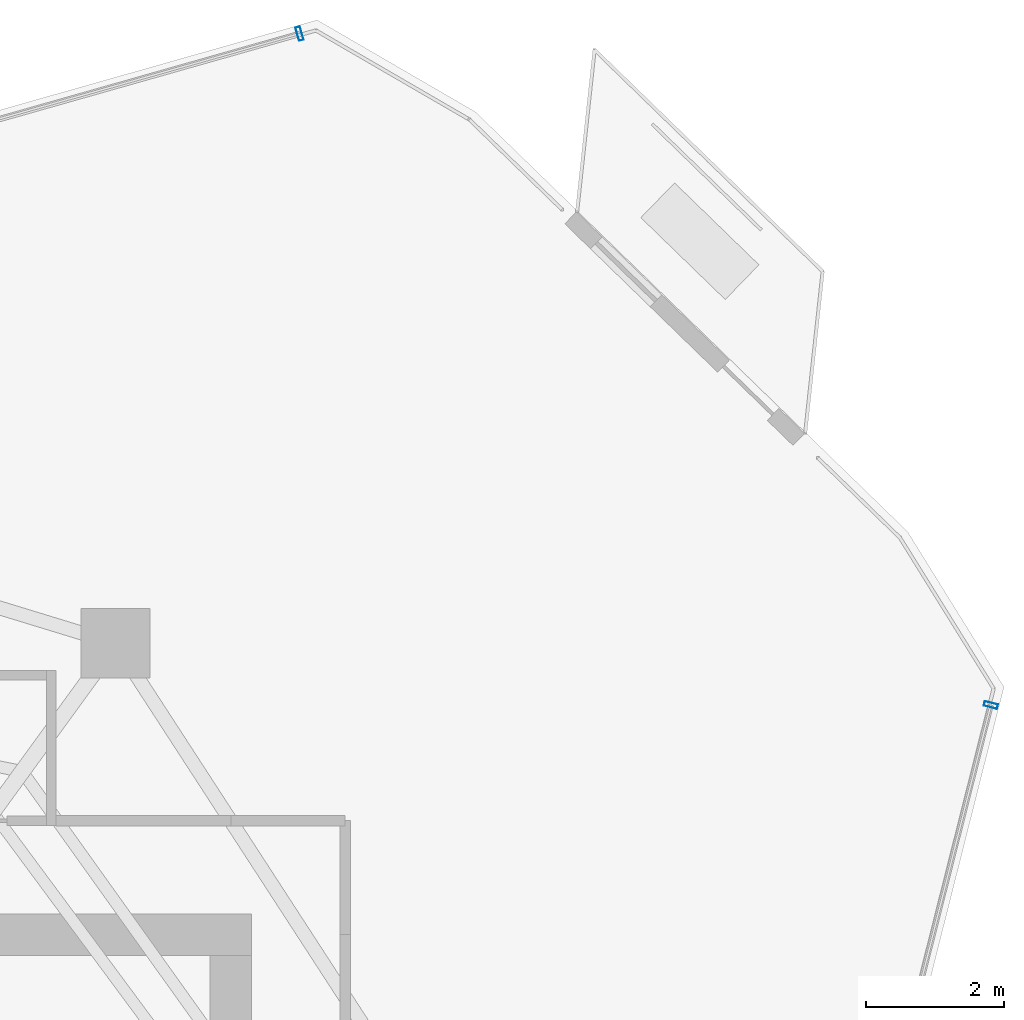
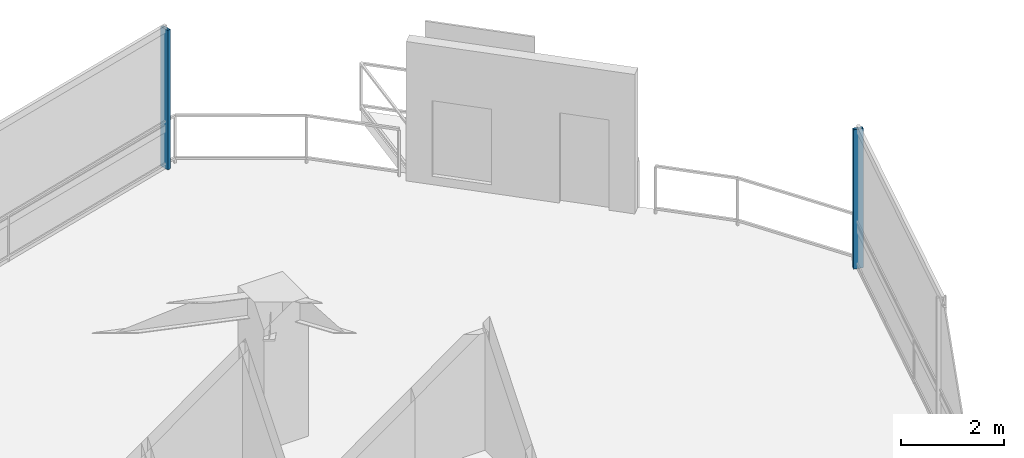
# One storey, part 13 of 19: 2 members, 2 elements without a shape of their own.
"""IFC4 building model written with IfcOpenShell, lengths in metres."""

from ifc_helpers import new_model, si_unit, direction, frame, origin, origin_2d, place, context, subcontext, project, spatial, hollow_rectangle, extrude, material, layer, layer_set, material_profile, profile_set, type_object, element, aggregate, save


model = new_model("IFC4")

# Units and contexts
model_context = context("Model", 3, precision=1e-05, world=origin(), true_north=direction((0.0, 1.0)))
body_context = subcontext(model_context, "Body", "Model", "MODEL_VIEW")
ifc_project = project(units=[si_unit("LENGTHUNIT", "METRE"), si_unit("AREAUNIT", "SQUARE_METRE"), si_unit("VOLUMEUNIT", "CUBIC_METRE"), si_unit("PLANEANGLEUNIT", "RADIAN"), si_unit("MASSUNIT", "GRAM", prefix="KILO")], contexts=[model_context])

# Site, building, storey
site_placement = place(None, origin())
site = spatial("IfcSite", under=ifc_project, at=site_placement, CompositionType="ELEMENT")
building_placement = place(site_placement, origin())
building = spatial("IfcBuilding", under=site, at=building_placement, Name="Qarnah Convention Tower", CompositionType="ELEMENT")
storey_placement = place(building_placement, frame((0.0, 0.0, 125.699951171875)))
storey = spatial("IfcBuildingStorey", under=building, at=storey_placement, Name="L33", CompositionType="ELEMENT", Elevation=125.699951171875)

# Curtain wall, member
ifc_material_1 = material(Name="Tempered Low-E dark glass", Category="glass")
ifc_layer = layer(ifc_material_1, 0.172119140625)
ifc_layer_set = layer_set([ifc_layer], Name="Tempered Low-E dark glass")
curtain_wall_type = type_object("IfcCurtainWallType", Name="CWS-03", PredefinedType="NOTDEFINED", material=ifc_layer_set)
curtain_wall_1_placement = place(storey_placement, origin())
curtain_wall_1 = element("IfcCurtainWall", 1, at=curtain_wall_1_placement, inside=storey, type_object=curtain_wall_type, Name="L33 unitised curtain wall CW-L33-F2", PredefinedType="NOTDEFINED")
ifc_material_2 = material(Name="Black anodised aluminium", Category="aluminium")
ifc_material_profile = material_profile(ifc_material_2, hollow_rectangle(XDim=0.070068359375, YDim=0.199951171875, WallThickness=0.0048828125, at=origin_2d()), Name="MUL-70X200")
ifc_profile_set = profile_set([ifc_material_profile], Name="Black anodised aluminium")
member_type = type_object("IfcMemberType", Name="MUL-T3", PredefinedType="MULLION", material=ifc_profile_set)
member_1_placement = place(storey_placement, frame((58.587890625, 37.52099609375, 0.0), z_axis=(0.0, 0.0, 1.0), x_axis=(-0.24460965951, -0.969621634698, 0.0)))
member_1 = element("IfcMember", 2, at=member_1_placement, type_object=member_type, Name="CW-L33-F2 mullion 1", PredefinedType="MULLION", context=body_context, shape_type="SweptSolid", body=[
    extrude(hollow_rectangle(XDim=0.070068359375, YDim=0.199951171875, WallThickness=0.0048828125, at=origin_2d()), origin(), (0.0, 0.0, 1.0), 3.320068359375),
])
aggregate(curtain_wall_1, [member_1])

curtain_wall_2_placement = place(storey_placement, origin())
curtain_wall_2 = element("IfcCurtainWall", 3, at=curtain_wall_2_placement, inside=storey, type_object=curtain_wall_type, Name="L33 unitised curtain wall CW-L33-F4", PredefinedType="NOTDEFINED")
member_2_placement = place(storey_placement, frame((48.591064453125, 47.22998046875, 0.0), z_axis=(0.0, 0.0, 1.0), x_axis=(0.962024008053, 0.272964847426, 0.0)))
member_2 = element("IfcMember", 4, at=member_2_placement, type_object=member_type, Name="CW-L33-F4 mullion 6", PredefinedType="MULLION", context=body_context, shape_type="SweptSolid", body=[
    extrude(hollow_rectangle(XDim=0.070068359375, YDim=0.199951171875, WallThickness=0.0048828125, at=origin_2d()), origin(), (0.0, 0.0, 1.0), 3.320068359375),
])
aggregate(curtain_wall_2, [member_2])

save(model, "model.ifc")
